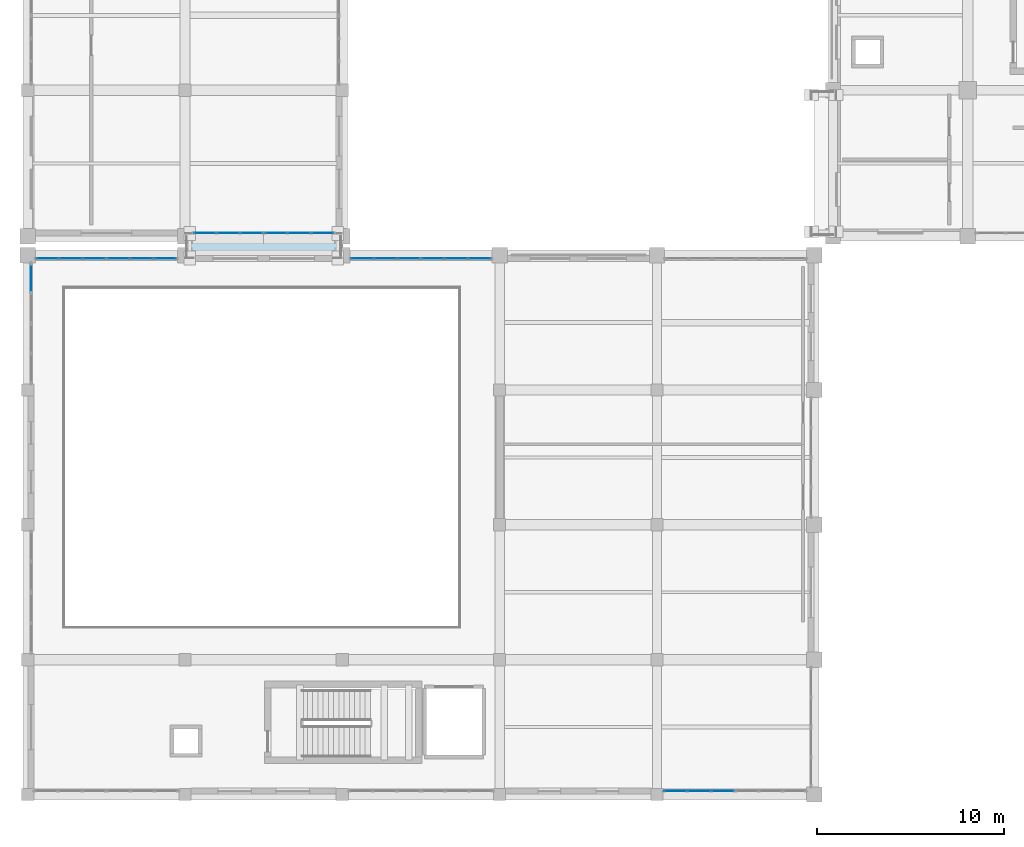
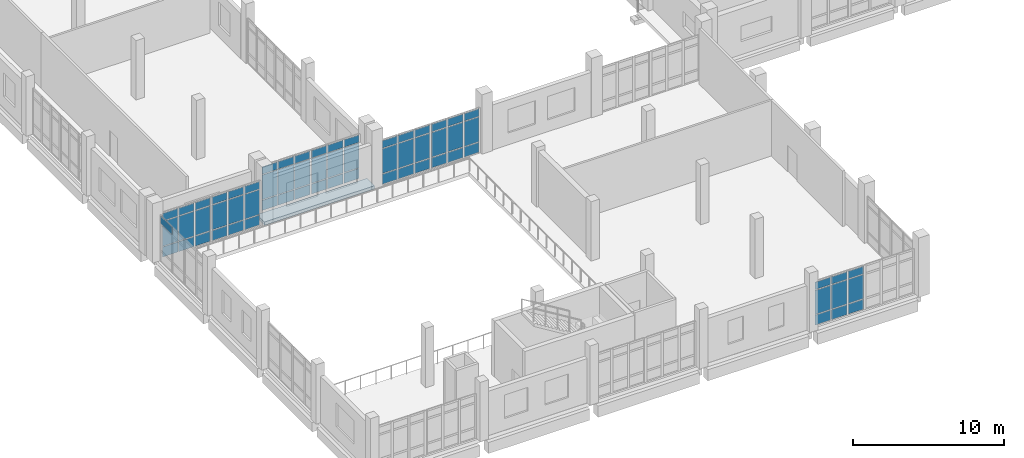
# One storey, part 47 of 90: 64 plates, 1 slab, 8 elements without a shape of their own.
"""IFC4 building model written with IfcOpenShell, lengths in metres."""

from ifc_helpers import new_model, si_unit, direction, frame, origin, origin_2d, place, context, subcontext, project, spatial, polyline, rectangle, outline, extrude, material, layer, layer_set, type_object, element, aggregate, save


model = new_model("IFC4")

# Units and contexts
model_context = context("Model", 3, precision=1e-05, world=origin(), true_north=direction((0.0, 1.0)))
body_context = subcontext(model_context, "Body", "Model", "MODEL_VIEW")
ifc_project = project(units=[si_unit("LENGTHUNIT", "METRE"), si_unit("AREAUNIT", "SQUARE_METRE"), si_unit("VOLUMEUNIT", "CUBIC_METRE"), si_unit("PLANEANGLEUNIT", "RADIAN"), si_unit("MASSUNIT", "GRAM", prefix="KILO")], contexts=[model_context])

# Site, building, storey
site_placement = place(None, origin())
site = spatial("IfcSite", under=ifc_project, at=site_placement, CompositionType="ELEMENT")
building_placement = place(site_placement, origin())
building = spatial("IfcBuilding", under=site, at=building_placement, Name="Kelarvand Opera House", CompositionType="ELEMENT")
storey_placement = place(building_placement, frame((0.0, 0.0, 5.39990234375)))
storey = spatial("IfcBuildingStorey", under=building, at=storey_placement, Name="L01", CompositionType="ELEMENT", Elevation=5.39990234375)

# Curtain wall, plate
ifc_material_1 = material(Name="Thermally broken aluminium and low-E glazing", Category="aluminium")
ifc_layer_1 = layer(ifc_material_1, 0.179931640625, Name="Thermally broken aluminium and low-E glazing", Category="aluminium")
ifc_layer_set_1 = layer_set([ifc_layer_1], Name="Thermally broken aluminium and low-E glazing")
curtain_wall_type_1 = type_object("IfcCurtainWallType", Name="Unitised Low-E Curtain Wall 3176x3730 Mod 1350 CWF-10", PredefinedType="USERDEFINED", material=ifc_layer_set_1)
curtain_wall_1_placement = place(storey_placement, origin())
curtain_wall_1 = element("IfcCurtainWall", 1, at=curtain_wall_1_placement, inside=storey, type_object=curtain_wall_type_1, Name="V4 L01 Curtain Wall CWF-10 (122)", ObjectType="UNITISED CURTAIN WALL", PredefinedType="USERDEFINED")
ifc_material_2 = material(Name="Low-E laminated double glazing", Category="glass")
ifc_layer_2 = layer(ifc_material_2, 0.031982421875, Name="Low-E laminated double glazing", Category="glass")
ifc_layer_set_2 = layer_set([ifc_layer_2], Name="Low-E laminated double glazing")
plate_type = type_object("IfcPlateType", Name="Low-E Argon Double Glazed Curtain Panel 32mm", PredefinedType="CURTAIN_PANEL", material=ifc_layer_set_2)
plate_1_placement = place(storey_placement, frame((9.179931640625, 36.55810546875, 3.08251953125), z_axis=(0.0, 0.0, 1.0), x_axis=(0.0, 1.0, 0.0)))
plate_1 = element("IfcPlate", 2, at=plate_1_placement, type_object=plate_type, Name="CWF-10 panel 2.3", PredefinedType="CURTAIN_PANEL", context=body_context, shape_type="SweptSolid", body=[
    extrude(rectangle(XDim=1.513671875, YDim=0.031982421875, at=origin_2d()), origin(), (0.0, 0.0, 1.0), 0.6025390625),
])
aggregate(curtain_wall_1, [plate_1])

# Curtain wall, plates
ifc_layer_3 = layer(ifc_material_1, 0.179931640625, Name="Thermally broken aluminium and low-E glazing", Category="aluminium")
ifc_layer_set_3 = layer_set([ifc_layer_3], Name="Thermally broken aluminium and low-E glazing")
curtain_wall_type_2 = type_object("IfcCurtainWallType", Name="Unitised Low-E Curtain Wall 3776x3650 Mod 1350 CWF-27", PredefinedType="USERDEFINED", material=ifc_layer_set_3)
curtain_wall_2_placement = place(storey_placement, origin())
curtain_wall_2 = element("IfcCurtainWall", 3, at=curtain_wall_2_placement, inside=storey, type_object=curtain_wall_type_2, Name="V4 L01 Curtain Wall CWF-27 (123)", ObjectType="UNITISED CURTAIN WALL", PredefinedType="USERDEFINED")
plate_2_placement = place(storey_placement, frame((10.065673828125, 37.6201171875, 0.06494140625), z_axis=(0.0, 0.0, 1.0), x_axis=(1.0, 0.0, 0.0)))
plate_2 = element("IfcPlate", 4, at=plate_2_placement, type_object=plate_type, Name="CWF-27 panel 1.1", PredefinedType="CURTAIN_PANEL", context=body_context, shape_type="SweptSolid", body=[
    extrude(rectangle(XDim=1.1611328125, YDim=0.031982421875, at=origin_2d()), origin(), (0.0, 0.0, 1.0), 0.802490234375),
])
plate_3_placement = place(storey_placement, frame((10.065673828125, 37.6201171875, 0.9326171875), z_axis=(0.0, 0.0, 1.0), x_axis=(1.0, 0.0, 0.0)))
plate_3 = element("IfcPlate", 5, at=plate_3_placement, type_object=plate_type, Name="CWF-27 panel 1.2", PredefinedType="CURTAIN_PANEL", context=body_context, shape_type="SweptSolid", body=[
    extrude(rectangle(XDim=1.1611328125, YDim=0.031982421875, at=origin_2d()), origin(), (0.0, 0.0, 1.0), 1.985107421875),
])
plate_4_placement = place(storey_placement, frame((10.065673828125, 37.6201171875, 2.982666015625), z_axis=(0.0, 0.0, 1.0), x_axis=(1.0, 0.0, 0.0)))
plate_4 = element("IfcPlate", 6, at=plate_4_placement, type_object=plate_type, Name="CWF-27 panel 1.3", PredefinedType="CURTAIN_PANEL", context=body_context, shape_type="SweptSolid", body=[
    extrude(rectangle(XDim=1.1611328125, YDim=0.031982421875, at=origin_2d()), origin(), (0.0, 0.0, 1.0), 0.6025390625),
])
plate_5_placement = place(storey_placement, frame((11.30810546875, 37.6201171875, 0.06494140625), z_axis=(0.0, 0.0, 1.0), x_axis=(1.0, 0.0, 0.0)))
plate_5 = element("IfcPlate", 7, at=plate_5_placement, type_object=plate_type, Name="CWF-27 panel 2.1", PredefinedType="CURTAIN_PANEL", context=body_context, shape_type="SweptSolid", body=[
    extrude(rectangle(XDim=1.193603515625, YDim=0.031982421875, at=origin_2d()), origin(), (0.0, 0.0, 1.0), 0.802490234375),
])
plate_6_placement = place(storey_placement, frame((11.30810546875, 37.6201171875, 0.9326171875), z_axis=(0.0, 0.0, 1.0), x_axis=(1.0, 0.0, 0.0)))
plate_6 = element("IfcPlate", 8, at=plate_6_placement, type_object=plate_type, Name="CWF-27 panel 2.2", PredefinedType="CURTAIN_PANEL", context=body_context, shape_type="SweptSolid", body=[
    extrude(rectangle(XDim=1.193603515625, YDim=0.031982421875, at=origin_2d()), origin(), (0.0, 0.0, 1.0), 1.985107421875),
])
plate_7_placement = place(storey_placement, frame((11.30810546875, 37.6201171875, 2.982666015625), z_axis=(0.0, 0.0, 1.0), x_axis=(1.0, 0.0, 0.0)))
plate_7 = element("IfcPlate", 9, at=plate_7_placement, type_object=plate_type, Name="CWF-27 panel 2.3", PredefinedType="CURTAIN_PANEL", context=body_context, shape_type="SweptSolid", body=[
    extrude(rectangle(XDim=1.193603515625, YDim=0.031982421875, at=origin_2d()), origin(), (0.0, 0.0, 1.0), 0.6025390625),
])
plate_8_placement = place(storey_placement, frame((12.550537109375, 37.6201171875, 0.06494140625), z_axis=(0.0, 0.0, 1.0), x_axis=(1.0, 0.0, 0.0)))
plate_8 = element("IfcPlate", 10, at=plate_8_placement, type_object=plate_type, Name="CWF-27 panel 3.1", PredefinedType="CURTAIN_PANEL", context=body_context, shape_type="SweptSolid", body=[
    extrude(rectangle(XDim=1.1611328125, YDim=0.031982421875, at=origin_2d()), origin(), (0.0, 0.0, 1.0), 0.802490234375),
])
plate_9_placement = place(storey_placement, frame((12.550537109375, 37.6201171875, 0.9326171875), z_axis=(0.0, 0.0, 1.0), x_axis=(1.0, 0.0, 0.0)))
plate_9 = element("IfcPlate", 11, at=plate_9_placement, type_object=plate_type, Name="CWF-27 panel 3.2", PredefinedType="CURTAIN_PANEL", context=body_context, shape_type="SweptSolid", body=[
    extrude(rectangle(XDim=1.1611328125, YDim=0.031982421875, at=origin_2d()), origin(), (0.0, 0.0, 1.0), 1.985107421875),
])
plate_10_placement = place(storey_placement, frame((12.550537109375, 37.6201171875, 2.982666015625), z_axis=(0.0, 0.0, 1.0), x_axis=(1.0, 0.0, 0.0)))
plate_10 = element("IfcPlate", 12, at=plate_10_placement, type_object=plate_type, Name="CWF-27 panel 3.3", PredefinedType="CURTAIN_PANEL", context=body_context, shape_type="SweptSolid", body=[
    extrude(rectangle(XDim=1.1611328125, YDim=0.031982421875, at=origin_2d()), origin(), (0.0, 0.0, 1.0), 0.6025390625),
])
aggregate(curtain_wall_2, [plate_2, plate_3, plate_4, plate_5, plate_6, plate_7, plate_8, plate_9, plate_10])

curtain_wall_3_placement = place(storey_placement, origin())
curtain_wall_3 = element("IfcCurtainWall", 13, at=curtain_wall_3_placement, inside=storey, type_object=curtain_wall_type_2, Name="V4 L01 Curtain Wall CWF-27 (124)", ObjectType="UNITISED CURTAIN WALL", PredefinedType="USERDEFINED")
plate_11_placement = place(storey_placement, frame((13.84619140625, 37.6201171875, 0.06494140625), z_axis=(0.0, 0.0, 1.0), x_axis=(1.0, 0.0, 0.0)))
plate_11 = element("IfcPlate", 14, at=plate_11_placement, type_object=plate_type, Name="CWF-27 panel 1.1", PredefinedType="CURTAIN_PANEL", context=body_context, shape_type="SweptSolid", body=[
    extrude(rectangle(XDim=1.16259765625, YDim=0.031982421875, at=origin_2d()), origin(), (0.0, 0.0, 1.0), 0.802490234375),
])
plate_12_placement = place(storey_placement, frame((13.84619140625, 37.6201171875, 0.9326171875), z_axis=(0.0, 0.0, 1.0), x_axis=(1.0, 0.0, 0.0)))
plate_12 = element("IfcPlate", 15, at=plate_12_placement, type_object=plate_type, Name="CWF-27 panel 1.2", PredefinedType="CURTAIN_PANEL", context=body_context, shape_type="SweptSolid", body=[
    extrude(rectangle(XDim=1.16259765625, YDim=0.031982421875, at=origin_2d()), origin(), (0.0, 0.0, 1.0), 1.985107421875),
])
plate_13_placement = place(storey_placement, frame((13.84619140625, 37.6201171875, 2.982666015625), z_axis=(0.0, 0.0, 1.0), x_axis=(1.0, 0.0, 0.0)))
plate_13 = element("IfcPlate", 16, at=plate_13_placement, type_object=plate_type, Name="CWF-27 panel 1.3", PredefinedType="CURTAIN_PANEL", context=body_context, shape_type="SweptSolid", body=[
    extrude(rectangle(XDim=1.16259765625, YDim=0.031982421875, at=origin_2d()), origin(), (0.0, 0.0, 1.0), 0.6025390625),
])
plate_14_placement = place(storey_placement, frame((15.090087890625, 37.6201171875, 0.06494140625), z_axis=(0.0, 0.0, 1.0), x_axis=(1.0, 0.0, 0.0)))
plate_14 = element("IfcPlate", 17, at=plate_14_placement, type_object=plate_type, Name="CWF-27 panel 2.1", PredefinedType="CURTAIN_PANEL", context=body_context, shape_type="SweptSolid", body=[
    extrude(rectangle(XDim=1.195068359375, YDim=0.031982421875, at=origin_2d()), origin(), (0.0, 0.0, 1.0), 0.802490234375),
])
plate_15_placement = place(storey_placement, frame((15.090087890625, 37.6201171875, 0.9326171875), z_axis=(0.0, 0.0, 1.0), x_axis=(1.0, 0.0, 0.0)))
plate_15 = element("IfcPlate", 18, at=plate_15_placement, type_object=plate_type, Name="CWF-27 panel 2.2", PredefinedType="CURTAIN_PANEL", context=body_context, shape_type="SweptSolid", body=[
    extrude(rectangle(XDim=1.195068359375, YDim=0.031982421875, at=origin_2d()), origin(), (0.0, 0.0, 1.0), 1.985107421875),
])
plate_16_placement = place(storey_placement, frame((15.090087890625, 37.6201171875, 2.982666015625), z_axis=(0.0, 0.0, 1.0), x_axis=(1.0, 0.0, 0.0)))
plate_16 = element("IfcPlate", 19, at=plate_16_placement, type_object=plate_type, Name="CWF-27 panel 2.3", PredefinedType="CURTAIN_PANEL", context=body_context, shape_type="SweptSolid", body=[
    extrude(rectangle(XDim=1.195068359375, YDim=0.031982421875, at=origin_2d()), origin(), (0.0, 0.0, 1.0), 0.6025390625),
])
plate_17_placement = place(storey_placement, frame((16.333740234375, 37.6201171875, 0.06494140625), z_axis=(0.0, 0.0, 1.0), x_axis=(1.0, 0.0, 0.0)))
plate_17 = element("IfcPlate", 20, at=plate_17_placement, type_object=plate_type, Name="CWF-27 panel 3.1", PredefinedType="CURTAIN_PANEL", context=body_context, shape_type="SweptSolid", body=[
    extrude(rectangle(XDim=1.16259765625, YDim=0.031982421875, at=origin_2d()), origin(), (0.0, 0.0, 1.0), 0.802490234375),
])
plate_18_placement = place(storey_placement, frame((16.333740234375, 37.6201171875, 0.9326171875), z_axis=(0.0, 0.0, 1.0), x_axis=(1.0, 0.0, 0.0)))
plate_18 = element("IfcPlate", 21, at=plate_18_placement, type_object=plate_type, Name="CWF-27 panel 3.2", PredefinedType="CURTAIN_PANEL", context=body_context, shape_type="SweptSolid", body=[
    extrude(rectangle(XDim=1.16259765625, YDim=0.031982421875, at=origin_2d()), origin(), (0.0, 0.0, 1.0), 1.985107421875),
])
plate_19_placement = place(storey_placement, frame((16.333740234375, 37.6201171875, 2.982666015625), z_axis=(0.0, 0.0, 1.0), x_axis=(1.0, 0.0, 0.0)))
plate_19 = element("IfcPlate", 22, at=plate_19_placement, type_object=plate_type, Name="CWF-27 panel 3.3", PredefinedType="CURTAIN_PANEL", context=body_context, shape_type="SweptSolid", body=[
    extrude(rectangle(XDim=1.16259765625, YDim=0.031982421875, at=origin_2d()), origin(), (0.0, 0.0, 1.0), 0.6025390625),
])
aggregate(curtain_wall_3, [plate_11, plate_12, plate_13, plate_14, plate_15, plate_16, plate_17, plate_18, plate_19])

curtain_wall_4_placement = place(storey_placement, origin())
curtain_wall_4 = element("IfcCurtainWall", 23, at=curtain_wall_4_placement, inside=storey, type_object=curtain_wall_type_2, Name="V4 L01 Curtain Wall CWF-27 (125)", ObjectType="UNITISED CURTAIN WALL", PredefinedType="USERDEFINED")
plate_20_placement = place(storey_placement, frame((26.865478515625, 37.6201171875, 0.06494140625), z_axis=(0.0, 0.0, 1.0), x_axis=(1.0, 0.0, 0.0)))
plate_20 = element("IfcPlate", 24, at=plate_20_placement, type_object=plate_type, Name="CWF-27 panel 1.1", PredefinedType="CURTAIN_PANEL", context=body_context, shape_type="SweptSolid", body=[
    extrude(rectangle(XDim=1.1611328125, YDim=0.031982421875, at=origin_2d()), origin(), (0.0, 0.0, 1.0), 0.802490234375),
])
plate_21_placement = place(storey_placement, frame((26.865478515625, 37.6201171875, 0.9326171875), z_axis=(0.0, 0.0, 1.0), x_axis=(1.0, 0.0, 0.0)))
plate_21 = element("IfcPlate", 25, at=plate_21_placement, type_object=plate_type, Name="CWF-27 panel 1.2", PredefinedType="CURTAIN_PANEL", context=body_context, shape_type="SweptSolid", body=[
    extrude(rectangle(XDim=1.1611328125, YDim=0.031982421875, at=origin_2d()), origin(), (0.0, 0.0, 1.0), 1.985107421875),
])
plate_22_placement = place(storey_placement, frame((26.865478515625, 37.6201171875, 2.982666015625), z_axis=(0.0, 0.0, 1.0), x_axis=(1.0, 0.0, 0.0)))
plate_22 = element("IfcPlate", 26, at=plate_22_placement, type_object=plate_type, Name="CWF-27 panel 1.3", PredefinedType="CURTAIN_PANEL", context=body_context, shape_type="SweptSolid", body=[
    extrude(rectangle(XDim=1.1611328125, YDim=0.031982421875, at=origin_2d()), origin(), (0.0, 0.0, 1.0), 0.6025390625),
])
plate_23_placement = place(storey_placement, frame((28.10791015625, 37.6201171875, 0.06494140625), z_axis=(0.0, 0.0, 1.0), x_axis=(1.0, 0.0, 0.0)))
plate_23 = element("IfcPlate", 27, at=plate_23_placement, type_object=plate_type, Name="CWF-27 panel 2.1", PredefinedType="CURTAIN_PANEL", context=body_context, shape_type="SweptSolid", body=[
    extrude(rectangle(XDim=1.193603515625, YDim=0.031982421875, at=origin_2d()), origin(), (0.0, 0.0, 1.0), 0.802490234375),
])
plate_24_placement = place(storey_placement, frame((28.10791015625, 37.6201171875, 0.9326171875), z_axis=(0.0, 0.0, 1.0), x_axis=(1.0, 0.0, 0.0)))
plate_24 = element("IfcPlate", 28, at=plate_24_placement, type_object=plate_type, Name="CWF-27 panel 2.2", PredefinedType="CURTAIN_PANEL", context=body_context, shape_type="SweptSolid", body=[
    extrude(rectangle(XDim=1.193603515625, YDim=0.031982421875, at=origin_2d()), origin(), (0.0, 0.0, 1.0), 1.985107421875),
])
plate_25_placement = place(storey_placement, frame((28.10791015625, 37.6201171875, 2.982666015625), z_axis=(0.0, 0.0, 1.0), x_axis=(1.0, 0.0, 0.0)))
plate_25 = element("IfcPlate", 29, at=plate_25_placement, type_object=plate_type, Name="CWF-27 panel 2.3", PredefinedType="CURTAIN_PANEL", context=body_context, shape_type="SweptSolid", body=[
    extrude(rectangle(XDim=1.193603515625, YDim=0.031982421875, at=origin_2d()), origin(), (0.0, 0.0, 1.0), 0.6025390625),
])
plate_26_placement = place(storey_placement, frame((29.350341796875, 37.6201171875, 0.06494140625), z_axis=(0.0, 0.0, 1.0), x_axis=(1.0, 0.0, 0.0)))
plate_26 = element("IfcPlate", 30, at=plate_26_placement, type_object=plate_type, Name="CWF-27 panel 3.1", PredefinedType="CURTAIN_PANEL", context=body_context, shape_type="SweptSolid", body=[
    extrude(rectangle(XDim=1.1611328125, YDim=0.031982421875, at=origin_2d()), origin(), (0.0, 0.0, 1.0), 0.802490234375),
])
plate_27_placement = place(storey_placement, frame((29.350341796875, 37.6201171875, 0.9326171875), z_axis=(0.0, 0.0, 1.0), x_axis=(1.0, 0.0, 0.0)))
plate_27 = element("IfcPlate", 31, at=plate_27_placement, type_object=plate_type, Name="CWF-27 panel 3.2", PredefinedType="CURTAIN_PANEL", context=body_context, shape_type="SweptSolid", body=[
    extrude(rectangle(XDim=1.1611328125, YDim=0.031982421875, at=origin_2d()), origin(), (0.0, 0.0, 1.0), 1.985107421875),
])
plate_28_placement = place(storey_placement, frame((29.350341796875, 37.6201171875, 2.982666015625), z_axis=(0.0, 0.0, 1.0), x_axis=(1.0, 0.0, 0.0)))
plate_28 = element("IfcPlate", 32, at=plate_28_placement, type_object=plate_type, Name="CWF-27 panel 3.3", PredefinedType="CURTAIN_PANEL", context=body_context, shape_type="SweptSolid", body=[
    extrude(rectangle(XDim=1.1611328125, YDim=0.031982421875, at=origin_2d()), origin(), (0.0, 0.0, 1.0), 0.6025390625),
])
aggregate(curtain_wall_4, [plate_20, plate_21, plate_22, plate_23, plate_24, plate_25, plate_26, plate_27, plate_28])

curtain_wall_5_placement = place(storey_placement, origin())
curtain_wall_5 = element("IfcCurtainWall", 33, at=curtain_wall_5_placement, inside=storey, type_object=curtain_wall_type_2, Name="V4 L01 Curtain Wall CWF-27 (126)", ObjectType="UNITISED CURTAIN WALL", PredefinedType="USERDEFINED")
plate_29_placement = place(storey_placement, frame((30.646240234375, 37.6201171875, 0.06494140625), z_axis=(0.0, 0.0, 1.0), x_axis=(1.0, 0.0, 0.0)))
plate_29 = element("IfcPlate", 34, at=plate_29_placement, type_object=plate_type, Name="CWF-27 panel 1.1", PredefinedType="CURTAIN_PANEL", context=body_context, shape_type="SweptSolid", body=[
    extrude(rectangle(XDim=1.16259765625, YDim=0.031982421875, at=origin_2d()), origin(), (0.0, 0.0, 1.0), 0.802490234375),
])
plate_30_placement = place(storey_placement, frame((30.646240234375, 37.6201171875, 0.9326171875), z_axis=(0.0, 0.0, 1.0), x_axis=(1.0, 0.0, 0.0)))
plate_30 = element("IfcPlate", 35, at=plate_30_placement, type_object=plate_type, Name="CWF-27 panel 1.2", PredefinedType="CURTAIN_PANEL", context=body_context, shape_type="SweptSolid", body=[
    extrude(rectangle(XDim=1.16259765625, YDim=0.031982421875, at=origin_2d()), origin(), (0.0, 0.0, 1.0), 1.985107421875),
])
plate_31_placement = place(storey_placement, frame((30.646240234375, 37.6201171875, 2.982666015625), z_axis=(0.0, 0.0, 1.0), x_axis=(1.0, 0.0, 0.0)))
plate_31 = element("IfcPlate", 36, at=plate_31_placement, type_object=plate_type, Name="CWF-27 panel 1.3", PredefinedType="CURTAIN_PANEL", context=body_context, shape_type="SweptSolid", body=[
    extrude(rectangle(XDim=1.16259765625, YDim=0.031982421875, at=origin_2d()), origin(), (0.0, 0.0, 1.0), 0.6025390625),
])
plate_32_placement = place(storey_placement, frame((31.889892578125, 37.6201171875, 0.06494140625), z_axis=(0.0, 0.0, 1.0), x_axis=(1.0, 0.0, 0.0)))
plate_32 = element("IfcPlate", 37, at=plate_32_placement, type_object=plate_type, Name="CWF-27 panel 2.1", PredefinedType="CURTAIN_PANEL", context=body_context, shape_type="SweptSolid", body=[
    extrude(rectangle(XDim=1.195068359375, YDim=0.031982421875, at=origin_2d()), origin(), (0.0, 0.0, 1.0), 0.802490234375),
])
plate_33_placement = place(storey_placement, frame((31.889892578125, 37.6201171875, 0.9326171875), z_axis=(0.0, 0.0, 1.0), x_axis=(1.0, 0.0, 0.0)))
plate_33 = element("IfcPlate", 38, at=plate_33_placement, type_object=plate_type, Name="CWF-27 panel 2.2", PredefinedType="CURTAIN_PANEL", context=body_context, shape_type="SweptSolid", body=[
    extrude(rectangle(XDim=1.195068359375, YDim=0.031982421875, at=origin_2d()), origin(), (0.0, 0.0, 1.0), 1.985107421875),
])
plate_34_placement = place(storey_placement, frame((31.889892578125, 37.6201171875, 2.982666015625), z_axis=(0.0, 0.0, 1.0), x_axis=(1.0, 0.0, 0.0)))
plate_34 = element("IfcPlate", 39, at=plate_34_placement, type_object=plate_type, Name="CWF-27 panel 2.3", PredefinedType="CURTAIN_PANEL", context=body_context, shape_type="SweptSolid", body=[
    extrude(rectangle(XDim=1.195068359375, YDim=0.031982421875, at=origin_2d()), origin(), (0.0, 0.0, 1.0), 0.6025390625),
])
plate_35_placement = place(storey_placement, frame((33.1337890625, 37.6201171875, 0.06494140625), z_axis=(0.0, 0.0, 1.0), x_axis=(1.0, 0.0, 0.0)))
plate_35 = element("IfcPlate", 40, at=plate_35_placement, type_object=plate_type, Name="CWF-27 panel 3.1", PredefinedType="CURTAIN_PANEL", context=body_context, shape_type="SweptSolid", body=[
    extrude(rectangle(XDim=1.16259765625, YDim=0.031982421875, at=origin_2d()), origin(), (0.0, 0.0, 1.0), 0.802490234375),
])
plate_36_placement = place(storey_placement, frame((33.1337890625, 37.6201171875, 0.9326171875), z_axis=(0.0, 0.0, 1.0), x_axis=(1.0, 0.0, 0.0)))
plate_36 = element("IfcPlate", 41, at=plate_36_placement, type_object=plate_type, Name="CWF-27 panel 3.2", PredefinedType="CURTAIN_PANEL", context=body_context, shape_type="SweptSolid", body=[
    extrude(rectangle(XDim=1.16259765625, YDim=0.031982421875, at=origin_2d()), origin(), (0.0, 0.0, 1.0), 1.985107421875),
])
plate_37_placement = place(storey_placement, frame((33.1337890625, 37.6201171875, 2.982666015625), z_axis=(0.0, 0.0, 1.0), x_axis=(1.0, 0.0, 0.0)))
plate_37 = element("IfcPlate", 42, at=plate_37_placement, type_object=plate_type, Name="CWF-27 panel 3.3", PredefinedType="CURTAIN_PANEL", context=body_context, shape_type="SweptSolid", body=[
    extrude(rectangle(XDim=1.16259765625, YDim=0.031982421875, at=origin_2d()), origin(), (0.0, 0.0, 1.0), 0.6025390625),
])
aggregate(curtain_wall_5, [plate_29, plate_30, plate_31, plate_32, plate_33, plate_34, plate_35, plate_36, plate_37])

ifc_layer_4 = layer(ifc_material_1, 0.179931640625, Name="Thermally broken aluminium and low-E glazing", Category="aluminium")
ifc_layer_set_4 = layer_set([ifc_layer_4], Name="Thermally broken aluminium and low-E glazing")
curtain_wall_type_3 = type_object("IfcCurtainWallType", Name="Unitised Low-E Curtain Wall 3818x3600 Mod 1350 CWF-18", PredefinedType="USERDEFINED", material=ifc_layer_set_4)
curtain_wall_6_placement = place(storey_placement, origin())
curtain_wall_6 = element("IfcCurtainWall", 43, at=curtain_wall_6_placement, inside=storey, type_object=curtain_wall_type_3, Name="V4 L01 Curtain Wall CWF-18 (134)", ObjectType="UNITISED CURTAIN WALL", PredefinedType="USERDEFINED")
plate_38_placement = place(storey_placement, frame((46.104248046875, 9.179931640625, 0.06494140625), z_axis=(0.0, 0.0, 1.0), x_axis=(-1.0, 0.0, 0.0)))
plate_38 = element("IfcPlate", 44, at=plate_38_placement, type_object=plate_type, Name="CWF-18 panel 1.1", PredefinedType="CURTAIN_PANEL", context=body_context, shape_type="SweptSolid", body=[
    extrude(rectangle(XDim=1.1767578125, YDim=0.031982421875, at=origin_2d()), origin(), (0.0, 0.0, 1.0), 0.802490234375),
])
plate_39_placement = place(storey_placement, frame((46.104248046875, 9.179931640625, 0.9326171875), z_axis=(0.0, 0.0, 1.0), x_axis=(-1.0, 0.0, 0.0)))
plate_39 = element("IfcPlate", 45, at=plate_39_placement, type_object=plate_type, Name="CWF-18 panel 1.2", PredefinedType="CURTAIN_PANEL", context=body_context, shape_type="SweptSolid", body=[
    extrude(rectangle(XDim=1.1767578125, YDim=0.031982421875, at=origin_2d()), origin(), (0.0, 0.0, 1.0), 1.93505859375),
])
plate_40_placement = place(storey_placement, frame((46.104248046875, 9.179931640625, 2.9326171875), z_axis=(0.0, 0.0, 1.0), x_axis=(-1.0, 0.0, 0.0)))
plate_40 = element("IfcPlate", 46, at=plate_40_placement, type_object=plate_type, Name="CWF-18 panel 1.3", PredefinedType="CURTAIN_PANEL", context=body_context, shape_type="SweptSolid", body=[
    extrude(rectangle(XDim=1.1767578125, YDim=0.031982421875, at=origin_2d()), origin(), (0.0, 0.0, 1.0), 0.6025390625),
])
plate_41_placement = place(storey_placement, frame((44.84619140625, 9.179931640625, 0.06494140625), z_axis=(0.0, 0.0, 1.0), x_axis=(-1.0, 0.0, 0.0)))
plate_41 = element("IfcPlate", 47, at=plate_41_placement, type_object=plate_type, Name="CWF-18 panel 2.1", PredefinedType="CURTAIN_PANEL", context=body_context, shape_type="SweptSolid", body=[
    extrude(rectangle(XDim=1.209228515625, YDim=0.031982421875, at=origin_2d()), origin(), (0.0, 0.0, 1.0), 0.802490234375),
])
plate_42_placement = place(storey_placement, frame((44.84619140625, 9.179931640625, 0.9326171875), z_axis=(0.0, 0.0, 1.0), x_axis=(-1.0, 0.0, 0.0)))
plate_42 = element("IfcPlate", 48, at=plate_42_placement, type_object=plate_type, Name="CWF-18 panel 2.2", PredefinedType="CURTAIN_PANEL", context=body_context, shape_type="SweptSolid", body=[
    extrude(rectangle(XDim=1.209228515625, YDim=0.031982421875, at=origin_2d()), origin(), (0.0, 0.0, 1.0), 1.93505859375),
])
plate_43_placement = place(storey_placement, frame((44.84619140625, 9.179931640625, 2.9326171875), z_axis=(0.0, 0.0, 1.0), x_axis=(-1.0, 0.0, 0.0)))
plate_43 = element("IfcPlate", 49, at=plate_43_placement, type_object=plate_type, Name="CWF-18 panel 2.3", PredefinedType="CURTAIN_PANEL", context=body_context, shape_type="SweptSolid", body=[
    extrude(rectangle(XDim=1.209228515625, YDim=0.031982421875, at=origin_2d()), origin(), (0.0, 0.0, 1.0), 0.6025390625),
])
plate_44_placement = place(storey_placement, frame((43.58837890625, 9.179931640625, 0.06494140625), z_axis=(0.0, 0.0, 1.0), x_axis=(-1.0, 0.0, 0.0)))
plate_44 = element("IfcPlate", 50, at=plate_44_placement, type_object=plate_type, Name="CWF-18 panel 3.1", PredefinedType="CURTAIN_PANEL", context=body_context, shape_type="SweptSolid", body=[
    extrude(rectangle(XDim=1.1767578125, YDim=0.031982421875, at=origin_2d()), origin(), (0.0, 0.0, 1.0), 0.802490234375),
])
plate_45_placement = place(storey_placement, frame((43.58837890625, 9.179931640625, 0.9326171875), z_axis=(0.0, 0.0, 1.0), x_axis=(-1.0, 0.0, 0.0)))
plate_45 = element("IfcPlate", 51, at=plate_45_placement, type_object=plate_type, Name="CWF-18 panel 3.2", PredefinedType="CURTAIN_PANEL", context=body_context, shape_type="SweptSolid", body=[
    extrude(rectangle(XDim=1.1767578125, YDim=0.031982421875, at=origin_2d()), origin(), (0.0, 0.0, 1.0), 1.93505859375),
])
plate_46_placement = place(storey_placement, frame((43.58837890625, 9.179931640625, 2.9326171875), z_axis=(0.0, 0.0, 1.0), x_axis=(-1.0, 0.0, 0.0)))
plate_46 = element("IfcPlate", 52, at=plate_46_placement, type_object=plate_type, Name="CWF-18 panel 3.3", PredefinedType="CURTAIN_PANEL", context=body_context, shape_type="SweptSolid", body=[
    extrude(rectangle(XDim=1.1767578125, YDim=0.031982421875, at=origin_2d()), origin(), (0.0, 0.0, 1.0), 0.6025390625),
])
aggregate(curtain_wall_6, [plate_38, plate_39, plate_40, plate_41, plate_42, plate_43, plate_44, plate_45, plate_46])

curtain_wall_7_placement = place(storey_placement, origin())
curtain_wall_7 = element("IfcCurtainWall", 53, at=curtain_wall_7_placement, inside=storey, type_object=curtain_wall_type_2, Name="V4 L01 Curtain Wall CWF-27 (149)", ObjectType="UNITISED CURTAIN WALL", PredefinedType="USERDEFINED")
plate_47_placement = place(storey_placement, frame((24.734375, 38.97998046875, 0.06494140625), z_axis=(0.0, 0.0, 1.0), x_axis=(-1.0, 0.0, 0.0)))
plate_47 = element("IfcPlate", 54, at=plate_47_placement, type_object=plate_type, Name="CWF-27 panel 1.1", PredefinedType="CURTAIN_PANEL", context=body_context, shape_type="SweptSolid", body=[
    extrude(rectangle(XDim=1.1611328125, YDim=0.031982421875, at=origin_2d()), origin(), (0.0, 0.0, 1.0), 0.802490234375),
])
plate_48_placement = place(storey_placement, frame((24.734375, 38.97998046875, 0.9326171875), z_axis=(0.0, 0.0, 1.0), x_axis=(-1.0, 0.0, 0.0)))
plate_48 = element("IfcPlate", 55, at=plate_48_placement, type_object=plate_type, Name="CWF-27 panel 1.2", PredefinedType="CURTAIN_PANEL", context=body_context, shape_type="SweptSolid", body=[
    extrude(rectangle(XDim=1.1611328125, YDim=0.031982421875, at=origin_2d()), origin(), (0.0, 0.0, 1.0), 1.985107421875),
])
plate_49_placement = place(storey_placement, frame((24.734375, 38.97998046875, 2.982666015625), z_axis=(0.0, 0.0, 1.0), x_axis=(-1.0, 0.0, 0.0)))
plate_49 = element("IfcPlate", 56, at=plate_49_placement, type_object=plate_type, Name="CWF-27 panel 1.3", PredefinedType="CURTAIN_PANEL", context=body_context, shape_type="SweptSolid", body=[
    extrude(rectangle(XDim=1.1611328125, YDim=0.031982421875, at=origin_2d()), origin(), (0.0, 0.0, 1.0), 0.6025390625),
])
plate_50_placement = place(storey_placement, frame((23.491943359375, 38.97998046875, 0.06494140625), z_axis=(0.0, 0.0, 1.0), x_axis=(-1.0, 0.0, 0.0)))
plate_50 = element("IfcPlate", 57, at=plate_50_placement, type_object=plate_type, Name="CWF-27 panel 2.1", PredefinedType="CURTAIN_PANEL", context=body_context, shape_type="SweptSolid", body=[
    extrude(rectangle(XDim=1.193603515625, YDim=0.031982421875, at=origin_2d()), origin(), (0.0, 0.0, 1.0), 0.802490234375),
])
plate_51_placement = place(storey_placement, frame((23.491943359375, 38.97998046875, 0.9326171875), z_axis=(0.0, 0.0, 1.0), x_axis=(-1.0, 0.0, 0.0)))
plate_51 = element("IfcPlate", 58, at=plate_51_placement, type_object=plate_type, Name="CWF-27 panel 2.2", PredefinedType="CURTAIN_PANEL", context=body_context, shape_type="SweptSolid", body=[
    extrude(rectangle(XDim=1.193603515625, YDim=0.031982421875, at=origin_2d()), origin(), (0.0, 0.0, 1.0), 1.985107421875),
])
plate_52_placement = place(storey_placement, frame((23.491943359375, 38.97998046875, 2.982666015625), z_axis=(0.0, 0.0, 1.0), x_axis=(-1.0, 0.0, 0.0)))
plate_52 = element("IfcPlate", 59, at=plate_52_placement, type_object=plate_type, Name="CWF-27 panel 2.3", PredefinedType="CURTAIN_PANEL", context=body_context, shape_type="SweptSolid", body=[
    extrude(rectangle(XDim=1.193603515625, YDim=0.031982421875, at=origin_2d()), origin(), (0.0, 0.0, 1.0), 0.6025390625),
])
plate_53_placement = place(storey_placement, frame((22.24951171875, 38.97998046875, 0.06494140625), z_axis=(0.0, 0.0, 1.0), x_axis=(-1.0, 0.0, 0.0)))
plate_53 = element("IfcPlate", 60, at=plate_53_placement, type_object=plate_type, Name="CWF-27 panel 3.1", PredefinedType="CURTAIN_PANEL", context=body_context, shape_type="SweptSolid", body=[
    extrude(rectangle(XDim=1.1611328125, YDim=0.031982421875, at=origin_2d()), origin(), (0.0, 0.0, 1.0), 0.802490234375),
])
plate_54_placement = place(storey_placement, frame((22.24951171875, 38.97998046875, 0.9326171875), z_axis=(0.0, 0.0, 1.0), x_axis=(-1.0, 0.0, 0.0)))
plate_54 = element("IfcPlate", 61, at=plate_54_placement, type_object=plate_type, Name="CWF-27 panel 3.2", PredefinedType="CURTAIN_PANEL", context=body_context, shape_type="SweptSolid", body=[
    extrude(rectangle(XDim=1.1611328125, YDim=0.031982421875, at=origin_2d()), origin(), (0.0, 0.0, 1.0), 1.985107421875),
])
plate_55_placement = place(storey_placement, frame((22.24951171875, 38.97998046875, 2.982666015625), z_axis=(0.0, 0.0, 1.0), x_axis=(-1.0, 0.0, 0.0)))
plate_55 = element("IfcPlate", 62, at=plate_55_placement, type_object=plate_type, Name="CWF-27 panel 3.3", PredefinedType="CURTAIN_PANEL", context=body_context, shape_type="SweptSolid", body=[
    extrude(rectangle(XDim=1.1611328125, YDim=0.031982421875, at=origin_2d()), origin(), (0.0, 0.0, 1.0), 0.6025390625),
])
aggregate(curtain_wall_7, [plate_47, plate_48, plate_49, plate_50, plate_51, plate_52, plate_53, plate_54, plate_55])

curtain_wall_8_placement = place(storey_placement, origin())
curtain_wall_8 = element("IfcCurtainWall", 63, at=curtain_wall_8_placement, inside=storey, type_object=curtain_wall_type_2, Name="V4 L01 Curtain Wall CWF-27 (150)", ObjectType="UNITISED CURTAIN WALL", PredefinedType="USERDEFINED")
plate_56_placement = place(storey_placement, frame((20.953857421875, 38.97998046875, 0.06494140625), z_axis=(0.0, 0.0, 1.0), x_axis=(-1.0, 0.0, 0.0)))
plate_56 = element("IfcPlate", 64, at=plate_56_placement, type_object=plate_type, Name="CWF-27 panel 1.1", PredefinedType="CURTAIN_PANEL", context=body_context, shape_type="SweptSolid", body=[
    extrude(rectangle(XDim=1.16259765625, YDim=0.031982421875, at=origin_2d()), origin(), (0.0, 0.0, 1.0), 0.802490234375),
])
plate_57_placement = place(storey_placement, frame((20.953857421875, 38.97998046875, 0.9326171875), z_axis=(0.0, 0.0, 1.0), x_axis=(-1.0, 0.0, 0.0)))
plate_57 = element("IfcPlate", 65, at=plate_57_placement, type_object=plate_type, Name="CWF-27 panel 1.2", PredefinedType="CURTAIN_PANEL", context=body_context, shape_type="SweptSolid", body=[
    extrude(rectangle(XDim=1.16259765625, YDim=0.031982421875, at=origin_2d()), origin(), (0.0, 0.0, 1.0), 1.985107421875),
])
plate_58_placement = place(storey_placement, frame((20.953857421875, 38.97998046875, 2.982666015625), z_axis=(0.0, 0.0, 1.0), x_axis=(-1.0, 0.0, 0.0)))
plate_58 = element("IfcPlate", 66, at=plate_58_placement, type_object=plate_type, Name="CWF-27 panel 1.3", PredefinedType="CURTAIN_PANEL", context=body_context, shape_type="SweptSolid", body=[
    extrude(rectangle(XDim=1.16259765625, YDim=0.031982421875, at=origin_2d()), origin(), (0.0, 0.0, 1.0), 0.6025390625),
])
plate_59_placement = place(storey_placement, frame((19.7099609375, 38.97998046875, 0.06494140625), z_axis=(0.0, 0.0, 1.0), x_axis=(-1.0, 0.0, 0.0)))
plate_59 = element("IfcPlate", 67, at=plate_59_placement, type_object=plate_type, Name="CWF-27 panel 2.1", PredefinedType="CURTAIN_PANEL", context=body_context, shape_type="SweptSolid", body=[
    extrude(rectangle(XDim=1.195068359375, YDim=0.031982421875, at=origin_2d()), origin(), (0.0, 0.0, 1.0), 0.802490234375),
])
plate_60_placement = place(storey_placement, frame((19.7099609375, 38.97998046875, 0.9326171875), z_axis=(0.0, 0.0, 1.0), x_axis=(-1.0, 0.0, 0.0)))
plate_60 = element("IfcPlate", 68, at=plate_60_placement, type_object=plate_type, Name="CWF-27 panel 2.2", PredefinedType="CURTAIN_PANEL", context=body_context, shape_type="SweptSolid", body=[
    extrude(rectangle(XDim=1.195068359375, YDim=0.031982421875, at=origin_2d()), origin(), (0.0, 0.0, 1.0), 1.985107421875),
])
plate_61_placement = place(storey_placement, frame((19.7099609375, 38.97998046875, 2.982666015625), z_axis=(0.0, 0.0, 1.0), x_axis=(-1.0, 0.0, 0.0)))
plate_61 = element("IfcPlate", 69, at=plate_61_placement, type_object=plate_type, Name="CWF-27 panel 2.3", PredefinedType="CURTAIN_PANEL", context=body_context, shape_type="SweptSolid", body=[
    extrude(rectangle(XDim=1.195068359375, YDim=0.031982421875, at=origin_2d()), origin(), (0.0, 0.0, 1.0), 0.6025390625),
])
plate_62_placement = place(storey_placement, frame((18.46630859375, 38.97998046875, 0.06494140625), z_axis=(0.0, 0.0, 1.0), x_axis=(-1.0, 0.0, 0.0)))
plate_62 = element("IfcPlate", 70, at=plate_62_placement, type_object=plate_type, Name="CWF-27 panel 3.1", PredefinedType="CURTAIN_PANEL", context=body_context, shape_type="SweptSolid", body=[
    extrude(rectangle(XDim=1.16259765625, YDim=0.031982421875, at=origin_2d()), origin(), (0.0, 0.0, 1.0), 0.802490234375),
])
plate_63_placement = place(storey_placement, frame((18.46630859375, 38.97998046875, 0.9326171875), z_axis=(0.0, 0.0, 1.0), x_axis=(-1.0, 0.0, 0.0)))
plate_63 = element("IfcPlate", 71, at=plate_63_placement, type_object=plate_type, Name="CWF-27 panel 3.2", PredefinedType="CURTAIN_PANEL", context=body_context, shape_type="SweptSolid", body=[
    extrude(rectangle(XDim=1.16259765625, YDim=0.031982421875, at=origin_2d()), origin(), (0.0, 0.0, 1.0), 1.985107421875),
])
plate_64_placement = place(storey_placement, frame((18.46630859375, 38.97998046875, 2.982666015625), z_axis=(0.0, 0.0, 1.0), x_axis=(-1.0, 0.0, 0.0)))
plate_64 = element("IfcPlate", 72, at=plate_64_placement, type_object=plate_type, Name="CWF-27 panel 3.3", PredefinedType="CURTAIN_PANEL", context=body_context, shape_type="SweptSolid", body=[
    extrude(rectangle(XDim=1.16259765625, YDim=0.031982421875, at=origin_2d()), origin(), (0.0, 0.0, 1.0), 0.6025390625),
])
aggregate(curtain_wall_8, [plate_56, plate_57, plate_58, plate_59, plate_60, plate_61, plate_62, plate_63, plate_64])

# Slab
ifc_material_3 = material(Name="Concrete C35/45", Category="concrete")
ifc_layer_5 = layer(ifc_material_3, 0.260009765625, Name="Concrete C35/45", Category="concrete")
ifc_layer_set_5 = layer_set([ifc_layer_5], Name="Concrete C35/45")
slab_type = type_object("IfcSlabType", Name="Seismic Bridge Deck Slab 260", PredefinedType="FLOOR", material=ifc_layer_set_5)
slab_placement = place(storey_placement, frame((0.0, 0.0, -0.260009765625)))
element("IfcSlab", 73, at=slab_placement, inside=storey, type_object=slab_type, Name="Seismic Joint Sliding Bridge BR-JS-W L01", PredefinedType="FLOOR", context=body_context, shape_type="SweptSolid", body=[
    extrude(outline(polyline([(17.39990234375, 37.800048828125), (25.800048828125, 37.800048828125), (25.800048828125, 38.800048828125), (17.39990234375, 38.800048828125), (17.39990234375, 37.800048828125)])), origin(), (0.0, 0.0, 1.0), 0.260009765625),
])

save(model, "model.ifc")
